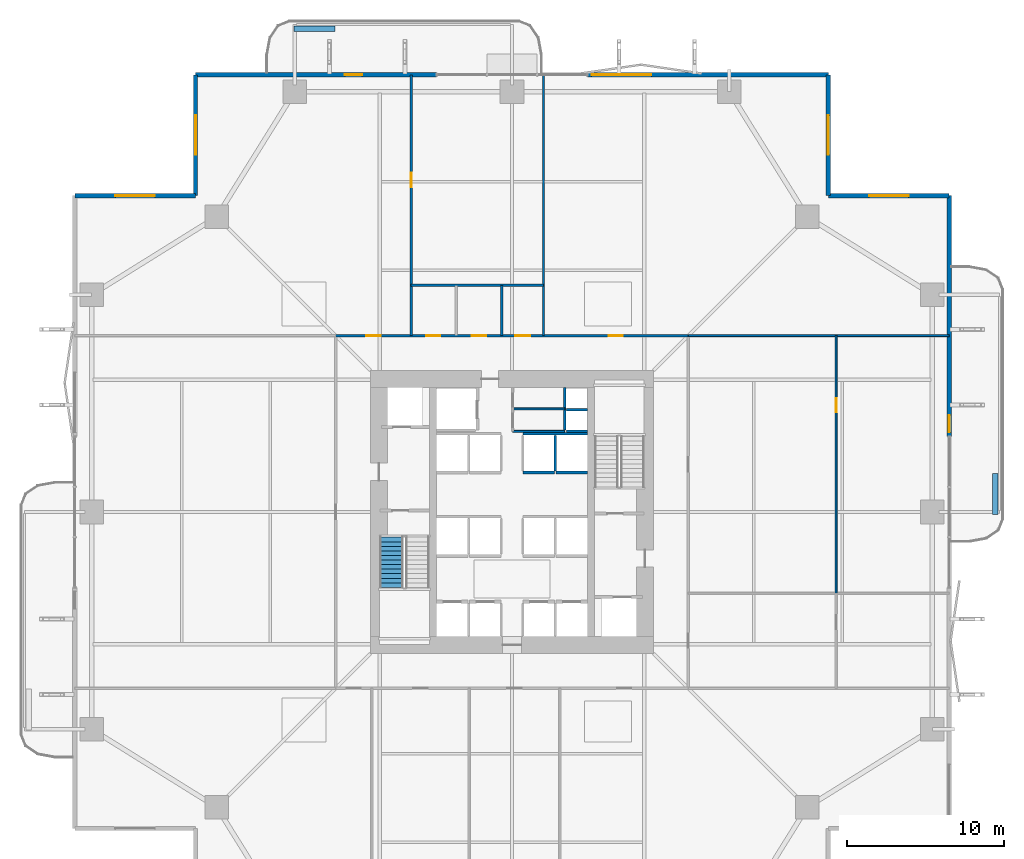
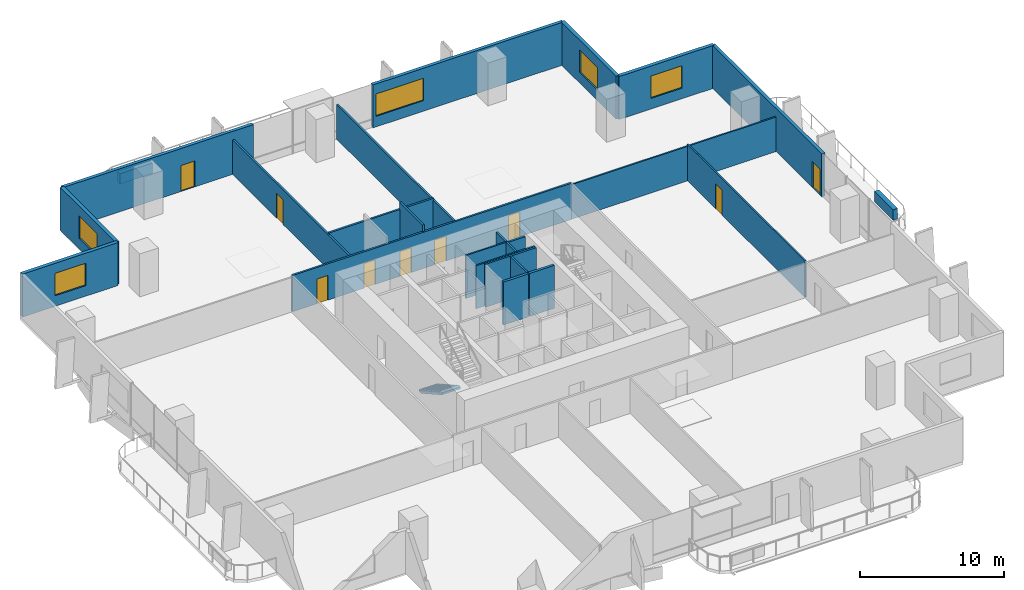
# One storey, part 19 of 24: 25 walls, 9 doors, 5 windows, 1 stair flight, 14 openings, 1 element without a shape of its own.
"""IFC4 building model written with IfcOpenShell, lengths in metres."""

from ifc_helpers import new_model, si_unit, direction, frame, frame_2d, origin, place, context, subcontext, project, spatial, polyline, rectangle, outline, extrude, material, layer, layer_set, type_object, element, fill, aggregate, save


model = new_model("IFC4")

# Units and contexts
model_context = context("Model", 3, precision=1e-05, world=origin(), true_north=direction((0.0, 1.0)))
body_context = subcontext(model_context, "Body", "Model", "MODEL_VIEW")
ifc_project = project(units=[si_unit("LENGTHUNIT", "METRE"), si_unit("AREAUNIT", "SQUARE_METRE"), si_unit("VOLUMEUNIT", "CUBIC_METRE"), si_unit("PLANEANGLEUNIT", "RADIAN"), si_unit("MASSUNIT", "GRAM", prefix="KILO")], contexts=[model_context])

# Site, building, storey
site_placement = place(None, origin())
site = spatial("IfcSite", under=ifc_project, at=site_placement, CompositionType="ELEMENT")
building_placement = place(site_placement, origin())
building = spatial("IfcBuilding", under=site, at=building_placement, Name="Belovzor Exchange Tower", CompositionType="ELEMENT")
storey_placement = place(building_placement, frame((0.0, 0.0, 69.0)))
storey = spatial("IfcBuildingStorey", under=building, at=storey_placement, Name="L16", CompositionType="ELEMENT", Elevation=69.0)

# Wall
ifc_material_1 = material(Name="Acoustic Plasterboard on Galvanised Studs", Category="gypsum")
ifc_layer_1 = layer(ifc_material_1, 0.1201171875)
ifc_layer_set_1 = layer_set([ifc_layer_1], Name="Acoustic Plasterboard on Galvanised Studs")
wall_type_1 = type_object("IfcWallType", Name="Acoustic Double-Stud Partition Wall 120", PredefinedType="PARTITIONING", material=ifc_layer_set_1)
wall_1_placement = place(storey_placement, frame((40.0, 40.0, 0.0), z_axis=(0.0, 0.0, 1.0), x_axis=(1.0, 0.0, 0.0)))
element("IfcWall", 1, at=wall_1_placement, inside=storey, type_object=wall_type_1, Name="W-P120 Partition Wall W-L16-END-NE", PredefinedType="PARTITIONING", context=body_context, shape_type="SweptSolid", body=[
    extrude(rectangle(XDim=16.570068359375, YDim=0.1201171875, at=frame_2d((8.28515625, 0.0))), origin(), (0.0, 0.0, 1.0), 2.93505859375),
])

# Wall, opening, door
wall_2_placement = place(storey_placement, frame((49.387939453125, 23.637939453125, 0.0), z_axis=(0.0, 0.0, 1.0), x_axis=(0.0, 1.0, 0.0)))
wall_2 = element("IfcWall", 2, at=wall_2_placement, inside=storey, type_object=wall_type_1, Name="W-P120 Partition Wall W-L16-EHDIV-1", PredefinedType="PARTITIONING", context=body_context, shape_type="SweptSolid", body=[
    extrude(rectangle(XDim=16.362060546875, YDim=0.1201171875, at=frame_2d((8.18115234375, 0.0))), origin(), (0.0, 0.0, 1.0), 3.0849609375),
])
opening_1_placement = place(wall_2_placement, frame((11.49609375, 0.0, 0.0)))
opening_1 = element("IfcOpeningElement", 3, at=opening_1_placement, cuts=wall_2, Name="Opening D-INT-090", PredefinedType="OPENING", context=body_context, shape_type="SweptSolid", body=[
    extrude(rectangle(XDim=0.89990234375, YDim=2.10009765625, at=frame_2d((0.449951171875, 1.050048828125))), frame((0.0, 0.070068359375, 0.0), z_axis=(0.0, -1.0, 0.0), x_axis=(1.0, 0.0, 0.0)), (0.0, 0.0, 1.0), 0.14013671875),
])
ifc_material_2 = material(Name="Veneered Hardwood Acoustic Leaf", Category="wood")
door_type_1 = type_object("IfcDoorType", Name="Trading Suite Acoustic Single Door 900x2100", OperationType="NOTDEFINED", PredefinedType="DOOR", material=ifc_material_2)
door_1_placement = place(opening_1_placement, origin())
door_1 = element("IfcDoor", 4, at=door_1_placement, inside=storey, type_object=door_type_1, Name="D-INT-090 Trading Suite Acoustic Single Door 900x2100", OperationType="SINGLE_SWING_RIGHT", OverallHeight=2.10009765625, OverallWidth=0.89990234375, PredefinedType="DOOR", context=body_context, shape_type="SweptSolid", body=[
    extrude(rectangle(XDim=0.89990234375, YDim=2.10009765625, at=frame_2d((0.449951171875, 1.050048828125))), frame((0.0, 0.02490234375, 0.0), z_axis=(0.0, -1.0, 0.0), x_axis=(1.0, 0.0, 0.0)), (0.0, 0.0, 1.0), 0.050048828125),
])
fill(opening_1, door_1)

# Walls
ifc_material_3 = material(Name="Fire-Rated Plasterboard on Galvanised Studs", Category="gypsum")
ifc_layer_2 = layer(ifc_material_3, 0.1201171875)
ifc_layer_set_2 = layer_set([ifc_layer_2], Name="Fire-Rated Plasterboard on Galvanised Studs")
wall_type_2 = type_object("IfcWallType", Name="Fire-Rated Double-Stud Partition Wall 120", PredefinedType="PARTITIONING", material=ifc_layer_set_2)
for number, where, z_axis, x_axis, name in (
    (5, (28.85009765625, 35.35009765625, 0.0), (0.0, 0.0, 1.0), (1.0, 0.0, 0.0), "W-P120F Partition Wall W-CRV-L16-M"),
    (6, (28.85009765625, 33.925048828125, 0.0), (0.0, 0.0, 1.0), (1.0, 0.0, 0.0), "W-P120F Partition Wall W-CRV-L16-S"),
):
    element("IfcWall", number, at=place(storey_placement, frame(where, z_axis=z_axis, x_axis=x_axis)), inside=storey, type_object=wall_type_2, Name=name, PredefinedType="PARTITIONING", context=body_context, shape_type="SweptSolid", body=[
        extrude(rectangle(XDim=3.2998046875, YDim=0.1201171875, at=frame_2d((1.64990234375, 0.0))), origin(), (0.0, 0.0, 1.0), 3.64990234375),
    ])
ifc_material_4 = material(Name="Fire-Rated Gypsum Block and Mineral Wool", Category="gypsum")
ifc_layer_3 = layer(ifc_material_4, 0.14990234375)
ifc_layer_set_3 = layer_set([ifc_layer_3], Name="Fire-Rated Gypsum Block and Mineral Wool")
wall_type_3 = type_object("IfcWallType", Name="Fire-Rated Gypsum Block Corridor Wall 150", PredefinedType="PARTITIONING", material=ifc_layer_set_3)
wall_3_placement = place(storey_placement, frame((22.39990234375, 43.199951171875, 0.0), z_axis=(0.0, 0.0, 1.0), x_axis=(1.0, 0.0, 0.0)))
element("IfcWall", 7, at=wall_3_placement, inside=storey, type_object=wall_type_3, Name="W-P150 Partition Wall W-L16-WCN", PredefinedType="PARTITIONING", context=body_context, shape_type="SweptSolid", body=[
    extrude(rectangle(XDim=8.400146484375, YDim=0.14990234375, at=frame_2d((4.2001953125, 0.0))), origin(), (0.0, 0.0, 1.0), 3.0849609375),
])

# Wall, opening, door
wall_4_placement = place(storey_placement, frame((22.39990234375, 40.0, 0.0), z_axis=(0.0, 0.0, 1.0), x_axis=(0.0, 1.0, 0.0)))
wall_4 = element("IfcWall", 8, at=wall_4_placement, inside=storey, type_object=wall_type_3, Name="W-P150 Partition Wall W-L16-WCW", PredefinedType="PARTITIONING", context=body_context, shape_type="SweptSolid", body=[
    extrude(rectangle(XDim=16.570068359375, YDim=0.14990234375, at=frame_2d((8.28515625, 0.0))), origin(), (0.0, 0.0, 1.0), 2.93505859375),
])
opening_2_placement = place(wall_4_placement, frame((9.43505859375, 0.0, 0.0)))
opening_2 = element("IfcOpeningElement", 9, at=opening_2_placement, cuts=wall_4, Name="Opening D-INT-090", PredefinedType="OPENING", context=body_context, shape_type="SweptSolid", body=[
    extrude(rectangle(XDim=0.89990234375, YDim=2.10009765625, at=frame_2d((0.449951171875, 1.050048828125))), frame((0.0, 0.0849609375, 0.0), z_axis=(0.0, -1.0, 0.0), x_axis=(1.0, 0.0, 0.0)), (0.0, 0.0, 1.0), 0.169921875),
])
door_2_placement = place(opening_2_placement, origin())
door_2 = element("IfcDoor", 10, at=door_2_placement, inside=storey, type_object=door_type_1, Name="D-INT-090 Trading Suite Acoustic Single Door 900x2100", OperationType="SINGLE_SWING_LEFT", OverallHeight=2.10009765625, OverallWidth=0.89990234375, PredefinedType="DOOR", context=body_context, shape_type="SweptSolid", body=[
    extrude(rectangle(XDim=0.89990234375, YDim=2.10009765625, at=frame_2d((0.449951171875, 1.050048828125))), frame((0.0, 0.02490234375, 0.0), z_axis=(0.0, -1.0, 0.0), x_axis=(1.0, 0.0, 0.0)), (0.0, 0.0, 1.0), 0.050048828125),
])
fill(opening_2, door_2)

# Walls
wall_5_placement = place(storey_placement, frame((30.800048828125, 40.0, 0.0), z_axis=(0.0, 0.0, 1.0), x_axis=(0.0, 1.0, 0.0)))
element("IfcWall", 11, at=wall_5_placement, inside=storey, type_object=wall_type_3, Name="W-P150 Partition Wall W-L16-WCE", PredefinedType="PARTITIONING", context=body_context, shape_type="SweptSolid", body=[
    extrude(rectangle(XDim=16.570068359375, YDim=0.14990234375, at=frame_2d((8.28515625, 0.0))), origin(), (0.0, 0.0, 1.0), 2.93505859375),
])
wall_6_placement = place(storey_placement, frame((28.14990234375, 40.0, 0.0), z_axis=(0.0, 0.0, 1.0), x_axis=(0.0, 1.0, 0.0)))
element("IfcWall", 12, at=wall_6_placement, inside=storey, type_object=wall_type_3, Name="W-P150 Partition Wall W-L16-WCD2", PredefinedType="PARTITIONING", context=body_context, shape_type="SweptSolid", body=[
    extrude(rectangle(XDim=3.199951171875, YDim=0.14990234375, at=frame_2d((1.60009765625, 0.0))), origin(), (0.0, 0.0, 1.0), 3.64990234375),
])

# Wall, openings, doors
wall_7_placement = place(storey_placement, frame((17.60009765625, 40.0, 0.0), z_axis=(0.0, 0.0, 1.0), x_axis=(1.0, 0.0, 0.0)))
wall_7 = element("IfcWall", 13, at=wall_7_placement, inside=storey, type_object=wall_type_3, Name="W-P150 Partition Wall W-L16-CN", PredefinedType="PARTITIONING", context=body_context, shape_type="SweptSolid", body=[
    extrude(rectangle(XDim=22.39990234375, YDim=0.14990234375, at=frame_2d((11.199951171875, 0.0))), origin(), (0.0, 0.0, 1.0), 3.0849609375),
])
opening_3_placement = place(wall_7_placement, frame((1.949951171875, 0.0, 0.0)))
opening_3 = element("IfcOpeningElement", 14, at=opening_3_placement, cuts=wall_7, Name="Opening D-INT-090", PredefinedType="OPENING", context=body_context, shape_type="SweptSolid", body=[
    extrude(rectangle(XDim=0.89990234375, YDim=2.10009765625, at=frame_2d((0.449951171875, 1.050048828125))), frame((0.0, 0.0849609375, 0.0), z_axis=(0.0, -1.0, 0.0), x_axis=(1.0, 0.0, 0.0)), (0.0, 0.0, 1.0), 0.169921875),
])
opening_4_placement = place(wall_7_placement, frame((5.75, 0.0, 0.0)))
opening_4 = element("IfcOpeningElement", 15, at=opening_4_placement, cuts=wall_7, Name="Opening D-FD60-090", PredefinedType="OPENING", context=body_context, shape_type="SweptSolid", body=[
    extrude(rectangle(XDim=0.89990234375, YDim=2.10009765625, at=frame_2d((0.449951171875, 1.050048828125))), frame((0.0, 0.0849609375, 0.0), z_axis=(0.0, -1.0, 0.0), x_axis=(1.0, 0.0, 0.0)), (0.0, 0.0, 1.0), 0.169921875),
])
opening_5_placement = place(wall_7_placement, frame((8.64990234375, 0.0, 0.0)))
opening_5 = element("IfcOpeningElement", 16, at=opening_5_placement, cuts=wall_7, Name="Opening D-FD60-090", PredefinedType="OPENING", context=body_context, shape_type="SweptSolid", body=[
    extrude(rectangle(XDim=0.89990234375, YDim=2.10009765625, at=frame_2d((0.449951171875, 1.050048828125))), frame((0.0, 0.0849609375, 0.0), z_axis=(0.0, -1.0, 0.0), x_axis=(1.0, 0.0, 0.0)), (0.0, 0.0, 1.0), 0.169921875),
])
opening_6_placement = place(wall_7_placement, frame((11.39990234375, 0.0, 0.0)))
opening_6 = element("IfcOpeningElement", 17, at=opening_6_placement, cuts=wall_7, Name="Opening D-FD60-095", PredefinedType="OPENING", context=body_context, shape_type="SweptSolid", body=[
    extrude(rectangle(XDim=0.949951171875, YDim=2.10009765625, at=frame_2d((0.47509765625, 1.050048828125))), frame((0.0, 0.0849609375, 0.0), z_axis=(0.0, -1.0, 0.0), x_axis=(1.0, 0.0, 0.0)), (0.0, 0.0, 1.0), 0.169921875),
])
opening_7_placement = place(wall_7_placement, frame((17.35009765625, 0.0, 0.0)))
opening_7 = element("IfcOpeningElement", 18, at=opening_7_placement, cuts=wall_7, Name="Opening D-INT-090", PredefinedType="OPENING", context=body_context, shape_type="SweptSolid", body=[
    extrude(rectangle(XDim=0.89990234375, YDim=2.10009765625, at=frame_2d((0.449951171875, 1.050048828125))), frame((0.0, 0.0849609375, 0.0), z_axis=(0.0, -1.0, 0.0), x_axis=(1.0, 0.0, 0.0)), (0.0, 0.0, 1.0), 0.169921875),
])
ifc_material_5 = material(Name="Moisture-Resistant Timber Fire Leaf", Category="wood")
door_type_2 = type_object("IfcDoorType", Name="Accessible Restroom Wide Fire Door 950x2100", OperationType="NOTDEFINED", PredefinedType="DOOR", material=ifc_material_5)
door_3_placement = place(opening_6_placement, origin())
door_3 = element("IfcDoor", 19, at=door_3_placement, inside=storey, type_object=door_type_2, Name="D-FD60-095 Accessible Restroom Wide Fire Door 950x2100", OperationType="SINGLE_SWING_LEFT", OverallHeight=2.10009765625, OverallWidth=0.949951171875, PredefinedType="DOOR", context=body_context, shape_type="SweptSolid", body=[
    extrude(rectangle(XDim=0.949951171875, YDim=2.10009765625, at=frame_2d((0.47509765625, 1.050048828125))), frame((0.0, 0.02490234375, 0.0), z_axis=(0.0, -1.0, 0.0), x_axis=(1.0, 0.0, 0.0)), (0.0, 0.0, 1.0), 0.050048828125),
])
fill(opening_6, door_3)
ifc_material_6 = material(Name="Acoustic Timber Fire Leaf", Category="wood")
door_type_3 = type_object("IfcDoorType", Name="Core Service & Restroom Fire Door 900x2100", OperationType="NOTDEFINED", PredefinedType="DOOR", material=ifc_material_6)
door_4_placement = place(opening_4_placement, origin())
door_4 = element("IfcDoor", 20, at=door_4_placement, inside=storey, type_object=door_type_3, Name="D-FD60-090 Core Service & Restroom Fire Door 900x2100", OperationType="SINGLE_SWING_LEFT", OverallHeight=2.10009765625, OverallWidth=0.89990234375, PredefinedType="DOOR", context=body_context, shape_type="SweptSolid", body=[
    extrude(rectangle(XDim=0.89990234375, YDim=2.10009765625, at=frame_2d((0.449951171875, 1.050048828125))), frame((0.0, 0.02490234375, 0.0), z_axis=(0.0, -1.0, 0.0), x_axis=(1.0, 0.0, 0.0)), (0.0, 0.0, 1.0), 0.050048828125),
])
fill(opening_4, door_4)
door_5_placement = place(opening_5_placement, origin())
door_5 = element("IfcDoor", 21, at=door_5_placement, inside=storey, type_object=door_type_3, Name="D-FD60-090 Core Service & Restroom Fire Door 900x2100", OperationType="SINGLE_SWING_RIGHT", OverallHeight=2.10009765625, OverallWidth=0.89990234375, PredefinedType="DOOR", context=body_context, shape_type="SweptSolid", body=[
    extrude(rectangle(XDim=0.89990234375, YDim=2.10009765625, at=frame_2d((0.449951171875, 1.050048828125))), frame((0.0, 0.02490234375, 0.0), z_axis=(0.0, -1.0, 0.0), x_axis=(1.0, 0.0, 0.0)), (0.0, 0.0, 1.0), 0.050048828125),
])
fill(opening_5, door_5)
door_6_placement = place(opening_3_placement, origin())
door_6 = element("IfcDoor", 22, at=door_6_placement, inside=storey, type_object=door_type_1, Name="D-INT-090 Trading Suite Acoustic Single Door 900x2100", OperationType="SINGLE_SWING_LEFT", OverallHeight=2.10009765625, OverallWidth=0.89990234375, PredefinedType="DOOR", context=body_context, shape_type="SweptSolid", body=[
    extrude(rectangle(XDim=0.89990234375, YDim=2.10009765625, at=frame_2d((0.449951171875, 1.050048828125))), frame((0.0, 0.02490234375, 0.0), z_axis=(0.0, -1.0, 0.0), x_axis=(1.0, 0.0, 0.0)), (0.0, 0.0, 1.0), 0.050048828125),
])
fill(opening_3, door_6)
door_7_placement = place(opening_7_placement, origin())
door_7 = element("IfcDoor", 23, at=door_7_placement, inside=storey, type_object=door_type_1, Name="D-INT-090 Trading Suite Acoustic Single Door 900x2100", OperationType="SINGLE_SWING_RIGHT", OverallHeight=2.10009765625, OverallWidth=0.89990234375, PredefinedType="DOOR", context=body_context, shape_type="SweptSolid", body=[
    extrude(rectangle(XDim=0.89990234375, YDim=2.10009765625, at=frame_2d((0.449951171875, 1.050048828125))), frame((0.0, 0.02490234375, 0.0), z_axis=(0.0, -1.0, 0.0), x_axis=(1.0, 0.0, 0.0)), (0.0, 0.0, 1.0), 0.050048828125),
])
fill(opening_7, door_7)

# Wall, opening, window
ifc_material_7 = material(Name="Precast concrete C40/50", Category="concrete")
ifc_layer_4 = layer(ifc_material_7, 0.280029296875)
ifc_layer_set_4 = layer_set([ifc_layer_4], Name="Precast concrete C40/50")
wall_type_4 = type_object("IfcWallType", Name="Precast Concrete Notched Corner Frame Wall 280", PredefinedType="SOLIDWALL", material=ifc_layer_set_4)
wall_8_placement = place(storey_placement, frame((1.030029296875, 48.89990234375, 0.0), z_axis=(0.0, 0.0, 1.0), x_axis=(1.0, 0.0, 0.0)))
wall_8 = element("IfcWall", 24, at=wall_8_placement, inside=storey, type_object=wall_type_4, Name="W-CRN280 Precast Concrete Notched Corner Frame Wall 280 L16", PredefinedType="SOLIDWALL", context=body_context, shape_type="SweptSolid", body=[
    extrude(rectangle(XDim=7.669921875, YDim=0.280029296875, at=frame_2d((3.8349609375, 0.0))), origin(), (0.0, 0.0, 1.0), 3.64990234375),
])
opening_8_placement = place(wall_8_placement, frame((2.5849609375, 0.0, 0.89990234375)))
opening_8 = element("IfcOpeningElement", 25, at=opening_8_placement, cuts=wall_8, Name="Opening WN-CRN250", PredefinedType="OPENING", context=body_context, shape_type="SweptSolid", body=[
    extrude(rectangle(XDim=2.5, YDim=1.89990234375, at=frame_2d((1.25, 0.949951171875))), frame((0.0, 0.14990234375, 0.0), z_axis=(0.0, -1.0, 0.0), x_axis=(1.0, 0.0, 0.0)), (0.0, 0.0, 1.0), 0.300048828125),
])
ifc_material_8 = material(Name="Thermally Broken Aluminium and Triple Glazing", Category="aluminium")
window_type_1 = type_object("IfcWindowType", Name="Streamline Moderne Corner Wrap Ribbon Window 2500x1900", PartitioningType="SINGLE_PANEL", PredefinedType="WINDOW", material=ifc_material_8)
window_1_placement = place(opening_8_placement, origin())
window_1 = element("IfcWindow", 26, at=window_1_placement, inside=storey, type_object=window_type_1, Name="WN-CRN250 Streamline Moderne Corner Wrap Ribbon Window 2500x1900", OverallHeight=1.89990234375, OverallWidth=2.5, PartitioningType="SINGLE_PANEL", PredefinedType="WINDOW", context=body_context, shape_type="SweptSolid", body=[
    extrude(rectangle(XDim=2.5, YDim=1.89990234375, at=frame_2d((1.25, 0.949951171875))), frame((0.0, 0.030029296875, 0.0), z_axis=(0.0, -1.0, 0.0), x_axis=(1.0, 0.0, 0.0)), (0.0, 0.0, 1.0), 0.06005859375),
])
fill(opening_8, window_1)

wall_9_placement = place(storey_placement, frame((8.699951171875, 48.89990234375, 0.0), z_axis=(0.0, 0.0, 1.0), x_axis=(0.0, 1.0, 0.0)))
wall_9 = element("IfcWall", 27, at=wall_9_placement, inside=storey, type_object=wall_type_4, Name="W-CRN280 Precast Concrete Notched Corner Frame Wall 280 L16", PredefinedType="SOLIDWALL", context=body_context, shape_type="SweptSolid", body=[
    extrude(rectangle(XDim=7.670166015625, YDim=0.280029296875, at=frame_2d((3.8349609375, 0.0))), origin(), (0.0, 0.0, 1.0), 3.64990234375),
])
opening_9_placement = place(wall_9_placement, frame((2.5849609375, 0.0, 0.89990234375)))
opening_9 = element("IfcOpeningElement", 28, at=opening_9_placement, cuts=wall_9, Name="Opening WN-CRN250", PredefinedType="OPENING", context=body_context, shape_type="SweptSolid", body=[
    extrude(rectangle(XDim=2.5, YDim=1.89990234375, at=frame_2d((1.25, 0.949951171875))), frame((0.0, 0.14990234375, 0.0), z_axis=(0.0, -1.0, 0.0), x_axis=(1.0, 0.0, 0.0)), (0.0, 0.0, 1.0), 0.300048828125),
])
window_2_placement = place(opening_9_placement, origin())
window_2 = element("IfcWindow", 29, at=window_2_placement, inside=storey, type_object=window_type_1, Name="WN-CRN250 Streamline Moderne Corner Wrap Ribbon Window 2500x1900", OverallHeight=1.89990234375, OverallWidth=2.5, PartitioningType="SINGLE_PANEL", PredefinedType="WINDOW", context=body_context, shape_type="SweptSolid", body=[
    extrude(rectangle(XDim=2.5, YDim=1.89990234375, at=frame_2d((1.25, 0.949951171875))), frame((0.0, 0.030029296875, 0.0), z_axis=(0.0, -1.0, 0.0), x_axis=(1.0, 0.0, 0.0)), (0.0, 0.0, 1.0), 0.06005859375),
])
fill(opening_9, window_2)

wall_10_placement = place(storey_placement, frame((48.89990234375, 56.570068359375, 0.0), z_axis=(0.0, 0.0, 1.0), x_axis=(0.0, -1.0, 0.0)))
wall_10 = element("IfcWall", 30, at=wall_10_placement, inside=storey, type_object=wall_type_4, Name="W-CRN280 Precast Concrete Notched Corner Frame Wall 280 L16", PredefinedType="SOLIDWALL", context=body_context, shape_type="SweptSolid", body=[
    extrude(rectangle(XDim=7.670166015625, YDim=0.280029296875, at=frame_2d((3.8349609375, 0.0))), origin(), (0.0, 0.0, 1.0), 3.64990234375),
])
opening_10_placement = place(wall_10_placement, frame((2.5849609375, 0.0, 0.89990234375)))
opening_10 = element("IfcOpeningElement", 31, at=opening_10_placement, cuts=wall_10, Name="Opening WN-CRN250", PredefinedType="OPENING", context=body_context, shape_type="SweptSolid", body=[
    extrude(rectangle(XDim=2.5, YDim=1.89990234375, at=frame_2d((1.25, 0.949951171875))), frame((0.0, 0.14990234375, 0.0), z_axis=(0.0, -1.0, 0.0), x_axis=(1.0, 0.0, 0.0)), (0.0, 0.0, 1.0), 0.300048828125),
])
window_3_placement = place(opening_10_placement, origin())
window_3 = element("IfcWindow", 32, at=window_3_placement, inside=storey, type_object=window_type_1, Name="WN-CRN250 Streamline Moderne Corner Wrap Ribbon Window 2500x1900", OverallHeight=1.89990234375, OverallWidth=2.5, PartitioningType="SINGLE_PANEL", PredefinedType="WINDOW", context=body_context, shape_type="SweptSolid", body=[
    extrude(rectangle(XDim=2.5, YDim=1.89990234375, at=frame_2d((1.25, 0.949951171875))), frame((0.0, 0.030029296875, 0.0), z_axis=(0.0, -1.0, 0.0), x_axis=(1.0, 0.0, 0.0)), (0.0, 0.0, 1.0), 0.06005859375),
])
fill(opening_10, window_3)

wall_11_placement = place(storey_placement, frame((48.89990234375, 48.89990234375, 0.0), z_axis=(0.0, 0.0, 1.0), x_axis=(1.0, 0.0, 0.0)))
wall_11 = element("IfcWall", 33, at=wall_11_placement, inside=storey, type_object=wall_type_4, Name="W-CRN280 Precast Concrete Notched Corner Frame Wall 280 L16", PredefinedType="SOLIDWALL", context=body_context, shape_type="SweptSolid", body=[
    extrude(rectangle(XDim=7.670166015625, YDim=0.280029296875, at=frame_2d((3.8349609375, 0.0))), origin(), (0.0, 0.0, 1.0), 3.64990234375),
])
opening_11_placement = place(wall_11_placement, frame((2.5849609375, 0.0, 0.89990234375)))
opening_11 = element("IfcOpeningElement", 34, at=opening_11_placement, cuts=wall_11, Name="Opening WN-CRN250", PredefinedType="OPENING", context=body_context, shape_type="SweptSolid", body=[
    extrude(rectangle(XDim=2.5, YDim=1.89990234375, at=frame_2d((1.25, 0.949951171875))), frame((0.0, 0.14990234375, 0.0), z_axis=(0.0, -1.0, 0.0), x_axis=(1.0, 0.0, 0.0)), (0.0, 0.0, 1.0), 0.300048828125),
])
window_4_placement = place(opening_11_placement, origin())
window_4 = element("IfcWindow", 35, at=window_4_placement, inside=storey, type_object=window_type_1, Name="WN-CRN250 Streamline Moderne Corner Wrap Ribbon Window 2500x1900", OverallHeight=1.89990234375, OverallWidth=2.5, PartitioningType="SINGLE_PANEL", PredefinedType="WINDOW", context=body_context, shape_type="SweptSolid", body=[
    extrude(rectangle(XDim=2.5, YDim=1.89990234375, at=frame_2d((1.25, 0.949951171875))), frame((0.0, 0.030029296875, 0.0), z_axis=(0.0, -1.0, 0.0), x_axis=(1.0, 0.0, 0.0)), (0.0, 0.0, 1.0), 0.06005859375),
])
fill(opening_11, window_4)

# Wall, opening, door
ifc_material_9 = material(Name="Precast concrete C40/50", Category="concrete")
ifc_layer_5 = layer(ifc_material_9, 0.260009765625)
ifc_layer_set_5 = layer_set([ifc_layer_5], Name="Precast concrete C40/50")
wall_type_5 = type_object("IfcWallType", Name="Precast Concrete Perimeter Loggia Frame Wall 260", PredefinedType="SOLIDWALL", material=ifc_layer_set_5)
wall_12_placement = place(storey_placement, frame((8.699951171875, 56.570068359375, 0.0), z_axis=(0.0, 0.0, 1.0), x_axis=(1.0, 0.0, 0.0)))
wall_12 = element("IfcWall", 36, at=wall_12_placement, inside=storey, type_object=wall_type_5, Name="W-EXT260 Precast Concrete Perimeter Loggia Frame Wall 260 L16", PredefinedType="SOLIDWALL", context=body_context, shape_type="SweptSolid", body=[
    extrude(rectangle(XDim=15.300048828125, YDim=0.260009765625, at=frame_2d((7.64990234375, 0.0))), origin(), (0.0, 0.0, 1.0), 3.64990234375),
])
opening_12_placement = place(wall_12_placement, frame((9.485107421875, 0.0, 0.0)))
opening_12 = element("IfcOpeningElement", 37, at=opening_12_placement, cuts=wall_12, Name="Opening D-BAL110", PredefinedType="OPENING", context=body_context, shape_type="SweptSolid", body=[
    extrude(rectangle(XDim=1.10009765625, YDim=2.199951171875, at=frame_2d((0.550048828125, 1.10009765625))), frame((0.0, 0.139892578125, 0.0), z_axis=(0.0, -1.0, 0.0), x_axis=(1.0, 0.0, 0.0)), (0.0, 0.0, 1.0), 0.280029296875),
])
ifc_material_10 = material(Name="Thermally Broken Anodised Aluminium and Laminated Glass", Category="aluminium")
door_type_4 = type_object("IfcDoorType", Name="Planted Loggia Terrace Glazed Door 1100x2200", OperationType="SINGLE_SWING_LEFT", PredefinedType="DOOR", material=ifc_material_10)
door_8_placement = place(opening_12_placement, origin())
door_8 = element("IfcDoor", 38, at=door_8_placement, inside=storey, type_object=door_type_4, Name="D-BAL110 Balcony Terrace Door L16 N", OperationType="SINGLE_SWING_RIGHT", OverallHeight=2.199951171875, OverallWidth=1.10009765625, PredefinedType="DOOR", context=body_context, shape_type="SweptSolid", body=[
    extrude(rectangle(XDim=1.10009765625, YDim=2.199951171875, at=frame_2d((0.550048828125, 1.10009765625))), frame((0.0, 0.02490234375, 0.0), z_axis=(0.0, -1.0, 0.0), x_axis=(1.0, 0.0, 0.0)), (0.0, 0.0, 1.0), 0.050048828125),
])
fill(opening_12, door_8)

# Wall, opening, window
wall_13_placement = place(storey_placement, frame((33.60009765625, 56.570068359375, 0.0), z_axis=(0.0, 0.0, 1.0), x_axis=(1.0, 0.0, 0.0)))
wall_13 = element("IfcWall", 39, at=wall_13_placement, inside=storey, type_object=wall_type_5, Name="W-EXT260 Precast Concrete Perimeter Loggia Frame Wall 260 L16", PredefinedType="SOLIDWALL", context=body_context, shape_type="SweptSolid", body=[
    extrude(rectangle(XDim=15.2998046875, YDim=0.260009765625, at=frame_2d((7.64990234375, 0.0))), origin(), (0.0, 0.0, 1.0), 3.64990234375),
])
opening_13_placement = place(wall_13_placement, frame((0.25, 0.0, 0.89990234375)))
opening_13 = element("IfcOpeningElement", 40, at=opening_13_placement, cuts=wall_13, Name="Opening WN-RIB380", PredefinedType="OPENING", context=body_context, shape_type="SweptSolid", body=[
    extrude(rectangle(XDim=3.800048828125, YDim=1.89990234375, at=frame_2d((1.89990234375, 0.949951171875))), frame((0.0, 0.139892578125, 0.0), z_axis=(0.0, -1.0, 0.0), x_axis=(1.0, 0.0, 0.0)), (0.0, 0.0, 1.0), 0.280029296875),
])
ifc_material_11 = material(Name="Thermally Broken Aluminium and Triple Glazing", Category="aluminium")
window_type_2 = type_object("IfcWindowType", Name="Streamline Moderne Horizontal Ribbon Window 3800x1900", PartitioningType="SINGLE_PANEL", PredefinedType="WINDOW", material=ifc_material_11)
window_5_placement = place(opening_13_placement, origin())
window_5 = element("IfcWindow", 41, at=window_5_placement, inside=storey, type_object=window_type_2, Name="WN-RIB380 Streamline Moderne Horizontal Ribbon Window 3800x1900", OverallHeight=1.89990234375, OverallWidth=3.800048828125, PartitioningType="SINGLE_PANEL", PredefinedType="WINDOW", context=body_context, shape_type="SweptSolid", body=[
    extrude(rectangle(XDim=3.800048828125, YDim=1.89990234375, at=frame_2d((1.89990234375, 0.949951171875))), frame((0.0, 0.030029296875, 0.0), z_axis=(0.0, -1.0, 0.0), x_axis=(1.0, 0.0, 0.0)), (0.0, 0.0, 1.0), 0.06005859375),
])
fill(opening_13, window_5)

# Wall, opening, door
wall_14_placement = place(storey_placement, frame((56.570068359375, 48.89990234375, 0.0), z_axis=(0.0, 0.0, 1.0), x_axis=(0.0, -1.0, 0.0)))
wall_14 = element("IfcWall", 42, at=wall_14_placement, inside=storey, type_object=wall_type_5, Name="W-EXT260 Precast Concrete Perimeter Loggia Frame Wall 260 L16", PredefinedType="SOLIDWALL", context=body_context, shape_type="SweptSolid", body=[
    extrude(rectangle(XDim=15.2998046875, YDim=0.260009765625, at=frame_2d((7.64990234375, 0.0))), origin(), (0.0, 0.0, 1.0), 3.64990234375),
])
opening_14_placement = place(wall_14_placement, frame((13.949951171875, 0.0, 0.0)))
opening_14 = element("IfcOpeningElement", 43, at=opening_14_placement, cuts=wall_14, Name="Opening D-BAL110", PredefinedType="OPENING", context=body_context, shape_type="SweptSolid", body=[
    extrude(rectangle(XDim=1.10009765625, YDim=2.199951171875, at=frame_2d((0.550048828125, 1.10009765625))), frame((0.0, 0.139892578125, 0.0), z_axis=(0.0, -1.0, 0.0), x_axis=(1.0, 0.0, 0.0)), (0.0, 0.0, 1.0), 0.280029296875),
])
door_9_placement = place(opening_14_placement, origin())
door_9 = element("IfcDoor", 44, at=door_9_placement, inside=storey, type_object=door_type_4, Name="D-BAL110 Balcony Terrace Door L16 E", OperationType="SINGLE_SWING_LEFT", OverallHeight=2.199951171875, OverallWidth=1.10009765625, PredefinedType="DOOR", context=body_context, shape_type="SweptSolid", body=[
    extrude(rectangle(XDim=1.10009765625, YDim=2.199951171875, at=frame_2d((0.550048828125, 1.10009765625))), frame((0.0, 0.02490234375, 0.0), z_axis=(0.0, -1.0, 0.0), x_axis=(1.0, 0.0, 0.0)), (0.0, 0.0, 1.0), 0.050048828125),
])
fill(opening_14, door_9)

# Walls
ifc_material_12 = material(Name="Precast concrete C40/50", Category="concrete")
ifc_layer_6 = layer(ifc_material_12, 0.35009765625)
ifc_layer_set_6 = layer_set([ifc_layer_6], Name="Precast concrete C40/50")
wall_type_6 = type_object("IfcWallType", Name="Precast Concrete Structural Tree Planter Trough 350", PredefinedType="PARAPET", material=ifc_layer_set_6)
for number, where, z_axis, x_axis, name in (
    (45, (14.949951171875, 59.5, 0.0), (0.0, 0.0, 1.0), (1.0, 0.0, 0.0), "PT-350 Precast Concrete Structural Tree Planter Trough 350 L16"),
    (46, (59.5, 28.64990234375, 0.0), (0.0, 0.0, 1.0), (0.0, 1.0, 0.0), "PT-350 Precast Concrete Structural Tree Planter Trough 350 L16"),
):
    element("IfcWall", number, at=place(storey_placement, frame(where, z_axis=z_axis, x_axis=x_axis)), inside=storey, type_object=wall_type_6, Name=name, PredefinedType="PARAPET", context=body_context, shape_type="SweptSolid", body=[
        extrude(rectangle(XDim=2.60009765625, YDim=0.35009765625, at=frame_2d((1.300048828125, 0.0))), origin(), (0.0, 0.0, 1.0), 0.89990234375),
    ])
ifc_material_13 = material(Name="Concrete C50/60", Category="concrete")
ifc_layer_7 = layer(ifc_material_13, 0.14990234375)
ifc_layer_set_7 = layer_set([ifc_layer_7], Name="Concrete C50/60")
wall_type_7 = type_object("IfcWallType", Name="Reinforced Concrete Core Riser Shear Wall 150", PredefinedType="SHEAR", material=ifc_layer_set_7)
wall_15_placement = place(storey_placement, frame((32.14990234375, 34.0, 0.0), z_axis=(0.0, 0.0, 1.0), x_axis=(0.0, 1.0, 0.0)))
element("IfcWall", 47, at=wall_15_placement, inside=storey, type_object=wall_type_7, Name="W-C150S Core Shaft Wall W-RSR-L16-E", PredefinedType="SHEAR", context=body_context, shape_type="SweptSolid", body=[
    extrude(rectangle(XDim=2.699951171875, YDim=0.14990234375, at=frame_2d((1.35009765625, 0.0))), origin(), (0.0, 0.0, 1.0), 3.64990234375),
])
for number, where, z_axis, x_axis, name in (
    (48, (32.25, 33.925048828125, 0.0), (0.0, 0.0, 1.0), (1.0, 0.0, 0.0), "W-C150S Core Shaft Wall W-RSR-L16-S"),
    (49, (32.25, 35.300048828125, 0.0), (0.0, 0.0, 1.0), (1.0, 0.0, 0.0), "W-C150S Core Shaft Wall W-RSR-L16-M"),
):
    element("IfcWall", number, at=place(storey_placement, frame(where, z_axis=z_axis, x_axis=x_axis)), inside=storey, type_object=wall_type_7, Name=name, PredefinedType="SHEAR", context=body_context, shape_type="SweptSolid", body=[
        extrude(rectangle(XDim=1.330078125, YDim=0.14990234375, at=frame_2d((0.6650390625, 0.0))), origin(), (0.0, 0.0, 1.0), 3.64990234375),
    ])
wall_16_placement = place(storey_placement, frame((29.5, 33.760009765625, 0.0), z_axis=(0.0, 0.0, 1.0), x_axis=(1.0, 0.0, 0.0)))
element("IfcWall", 50, at=wall_16_placement, inside=storey, type_object=wall_type_7, Name="W-C150S Core Shaft Wall W-SHB-L16-PLH-NE", PredefinedType="SHEAR", context=body_context, shape_type="SweptSolid", body=[
    extrude(rectangle(XDim=4.080078125, YDim=0.14990234375, at=frame_2d((2.0400390625, 0.0))), origin(), (0.0, 0.0, 1.0), 3.64990234375),
])
wall_17_placement = place(storey_placement, frame((31.550048828125, 31.419921875, 0.0), z_axis=(0.0, 0.0, 1.0), x_axis=(0.0, 1.0, 0.0)))
element("IfcWall", 51, at=wall_17_placement, inside=storey, type_object=wall_type_7, Name="W-C150S Core Shaft Wall W-SHD-L16-PLH-4", PredefinedType="SHEAR", context=body_context, shape_type="SweptSolid", body=[
    extrude(rectangle(XDim=2.239990234375, YDim=0.14990234375, at=frame_2d((1.1201171875, 0.0))), origin(), (0.0, 0.0, 1.0), 3.64990234375),
])
ifc_material_14 = material(Name="Concrete C50/60", Category="concrete")
ifc_layer_8 = layer(ifc_material_14, 0.199951171875)
ifc_layer_set_8 = layer_set([ifc_layer_8], Name="Concrete C50/60")
wall_type_8 = type_object("IfcWallType", Name="Reinforced Concrete Core Shaft Shear Wall 200", PredefinedType="SHEAR", material=ifc_layer_set_8)
for number, where, z_axis, x_axis, name in (
    (52, (29.5, 31.300048828125, 0.0), (0.0, 0.0, 1.0), (1.0, 0.0, 0.0), "W-C200S Core Shaft Wall W-SH-L16-PL-H3"),
    (53, (31.60009765625, 31.300048828125, 0.0), (0.0, 0.0, 1.0), (1.0, 0.0, 0.0), "W-C200S Core Shaft Wall W-SH-L16-PL-H4"),
):
    element("IfcWall", number, at=place(storey_placement, frame(where, z_axis=z_axis, x_axis=x_axis)), inside=storey, type_object=wall_type_8, Name=name, PredefinedType="SHEAR", context=body_context, shape_type="SweptSolid", body=[
        extrude(rectangle(XDim=2.0, YDim=0.199951171875, at=frame_2d((1.0, 0.0))), origin(), (0.0, 0.0, 1.0), 3.64990234375),
    ])

# Stair, stair flight
ifc_material_15 = material(Name="Concrete C40/50", Category="concrete")
stair_type = type_object("IfcStairType", Name="Reinforced Concrete Dogleg Escape Stair 1350", PredefinedType="HALF_TURN_STAIR", material=ifc_material_15)
stair_placement = place(storey_placement, origin())
stair = element("IfcStair", 54, at=stair_placement, inside=storey, type_object=stair_type, Name="L16 ST-1", PredefinedType="HALF_TURN_STAIR")
ifc_material_16 = material(Name="Concrete C40/50", Category="concrete")
stair_flight_type = type_object("IfcStairFlightType", Name="Reinforced Concrete Stair Flight 1350", PredefinedType="STRAIGHT", material=ifc_material_16)
stair_flight_placement = place(storey_placement, frame((21.14990234375, 27.199951171875, 0.0), z_axis=(0.0, 0.0, 1.0), x_axis=(0.0, -1.0, 0.0)))
stair_flight = element("IfcStairFlight", 55, at=stair_flight_placement, type_object=stair_flight_type, Name="ST-1 flight 1", NumberOfRisers=12, NumberOfTreads=11, PredefinedType="STRAIGHT", RiserHeight=0.1625, TreadLength=0.29, context=body_context, shape_type="SweptSolid", body=[
    extrude(outline(polyline([(0.0, 0.0), (0.0, 0.16259765625), (0.2900390625, 0.16259765625), (0.2900390625, 0.324951171875), (0.580078125, 0.324951171875), (0.580078125, 0.487548828125), (0.8701171875, 0.487548828125), (0.8701171875, 0.64990234375), (1.159912109375, 0.64990234375), (1.159912109375, 0.8125), (1.449951171875, 0.8125), (1.449951171875, 0.97509765625), (1.739990234375, 0.97509765625), (1.739990234375, 1.137451171875), (2.030029296875, 1.137451171875), (2.030029296875, 1.300048828125), (2.320068359375, 1.300048828125), (2.320068359375, 1.46240234375), (2.610107421875, 1.46240234375), (2.610107421875, 1.625), (2.89990234375, 1.625), (2.89990234375, 1.78759765625), (3.18994140625, 1.78759765625), (3.18994140625, 1.949951171875), (3.18994140625, 1.61572265625), (0.306640625, 0.0), (0.0, 0.0)])), frame((0.0, 0.75, 0.0), z_axis=(0.0, -1.0, 0.0), x_axis=(1.0, 0.0, 0.0)), (0.0, 0.0, 1.0), 1.5),
])
aggregate(stair, [stair_flight])

save(model, "model.ifc")
